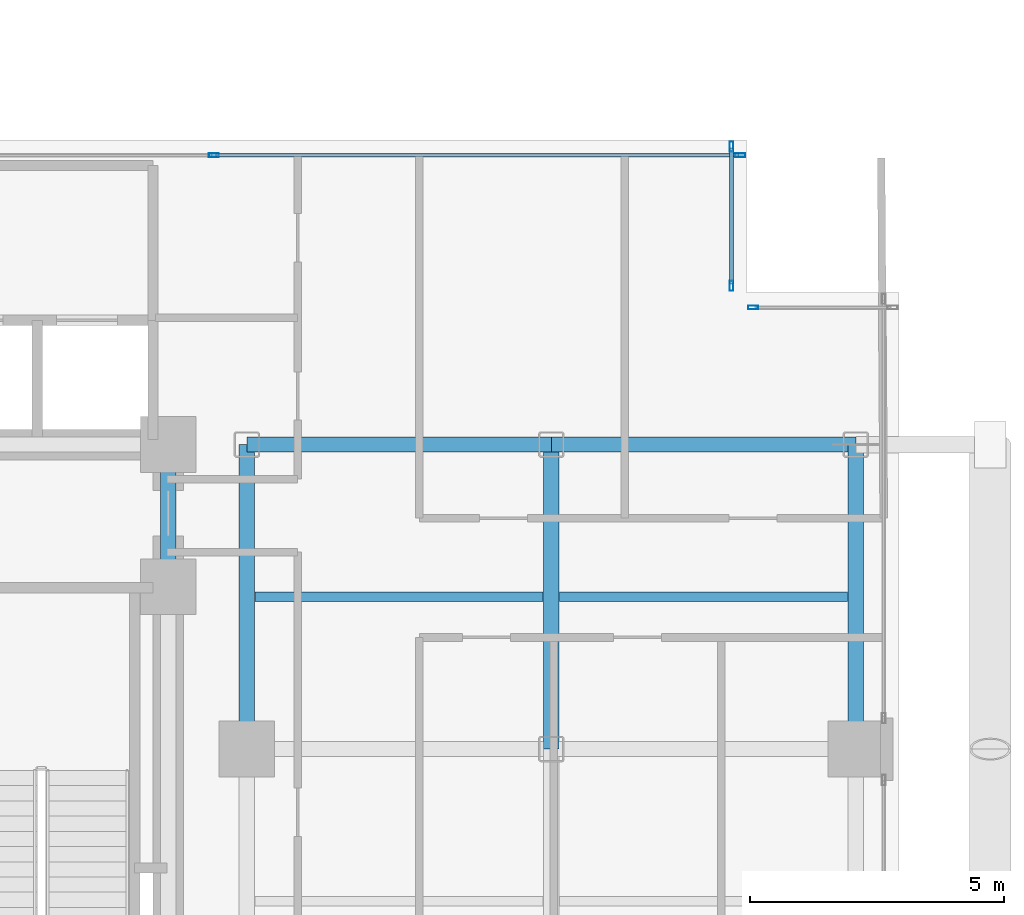
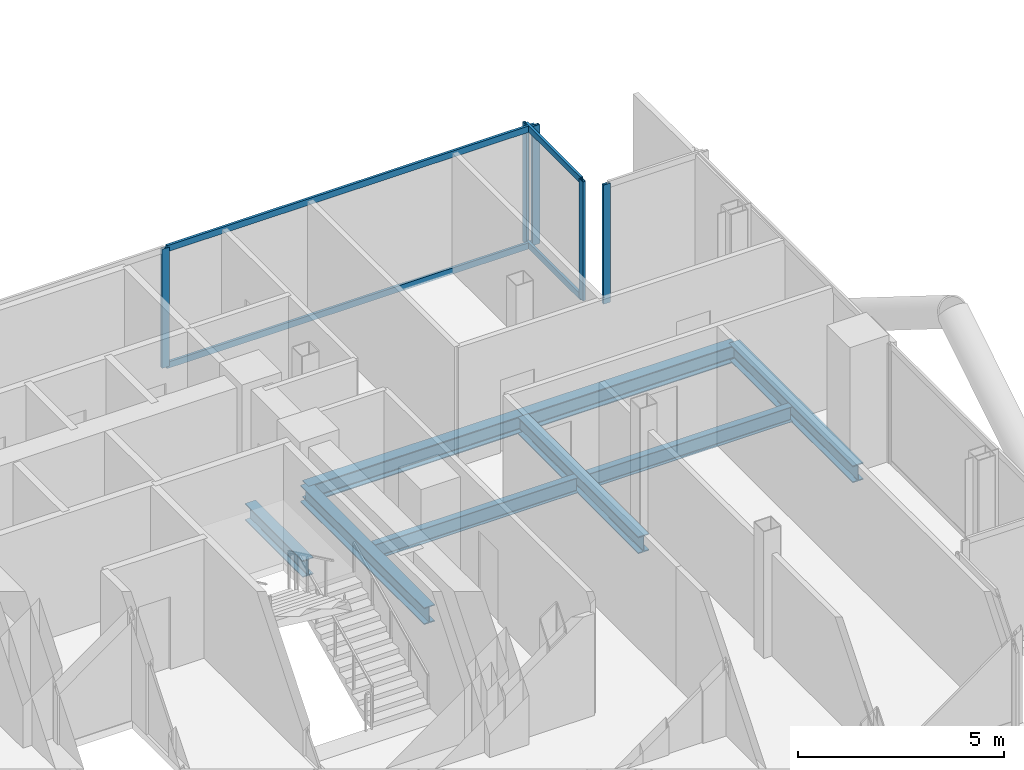
# One storey, part 12 of 24: 9 members, 8 beams, 3 elements without a shape of their own.
"""IFC4 building model written with IfcOpenShell, lengths in metres."""

from ifc_helpers import new_model, si_unit, direction, frame, origin, origin_2d, place, context, subcontext, project, spatial, hollow_rectangle, i_section, extrude, material, layer, layer_set, material_profile, profile_set, type_object, element, aggregate, save


model = new_model("IFC4")

# Units and contexts
model_context = context("Model", 3, precision=1e-05, world=origin(), true_north=direction((0.0, 1.0)))
body_context = subcontext(model_context, "Body", "Model", "MODEL_VIEW")
ifc_project = project(units=[si_unit("LENGTHUNIT", "METRE"), si_unit("AREAUNIT", "SQUARE_METRE"), si_unit("VOLUMEUNIT", "CUBIC_METRE"), si_unit("PLANEANGLEUNIT", "RADIAN"), si_unit("MASSUNIT", "GRAM", prefix="KILO"), si_unit("THERMODYNAMICTEMPERATUREUNIT", "KELVIN"), si_unit("POWERUNIT", "WATT")], contexts=[model_context])

# Site, building, storey
site_placement = place(None, origin())
site = spatial("IfcSite", under=ifc_project, at=site_placement, CompositionType="ELEMENT")
building_placement = place(site_placement, origin())
building = spatial("IfcBuilding", under=site, at=building_placement, Name="Svarakhadi Broadcast Tower", CompositionType="ELEMENT")
storey_placement = place(building_placement, frame((0.0, 0.0, 156.89990234375)))
storey = spatial("IfcBuildingStorey", under=building, at=storey_placement, Name="L38", CompositionType="ELEMENT", Elevation=156.89990234375)

# Beams
ifc_material_1 = material(Name="Steel S355J2 (IS 2062 E350C)", Category="steel")
ifc_material_profile_1 = material_profile(ifc_material_1, i_section(OverallWidth=0.18994140625, OverallDepth=0.449951171875, WebThickness=0.009521484375, FlangeThickness=0.0146484375, FilletRadius=0.02099609375, at=origin_2d()), Name="NPB 450x190x78")
ifc_profile_set_1 = profile_set([ifc_material_profile_1], Name="Steel S355J2 (IS 2062 E350C)")
beam_type_1 = type_object("IfcBeamType", Name="Beam_NPB450", PredefinedType="BEAM", material=ifc_profile_set_1)
for number, where, z_axis, x_axis, name in (
    (1, (35.31005859375, 15.0, -0.449951171875), (1.0, 0.0, 0.0), (0.0, 1.0, 0.0), "L38 Secondary Composite Beam SB021"),
    (2, (41.31005859375, 15.0, -0.449951171875), (1.0, 0.0, 0.0), (0.0, 1.0, 0.0), "L38 Secondary Composite Beam SB023"),
):
    element("IfcBeam", number, at=place(storey_placement, frame(where, z_axis=z_axis, x_axis=x_axis)), inside=storey, type_object=beam_type_1, Name=name, PredefinedType="BEAM", context=body_context, shape_type="SweptSolid", body=[
        extrude(i_section(OverallWidth=0.18994140625, OverallDepth=0.449951171875, WebThickness=0.009521484375, FlangeThickness=0.0146484375, FilletRadius=0.02099609375, at=origin_2d()), origin(), (0.0, 0.0, 1.0), 5.679931640625),
    ])

# Curtain wall, members
ifc_material_2 = material(Name="Anodised Bronze Aluminium AA 6063-T6", Category="aluminium")
ifc_layer = layer(ifc_material_2, 0.199951171875)
ifc_layer_set = layer_set([ifc_layer], Name="Anodised Bronze Aluminium AA 6063-T6")
curtain_wall_type = type_object("IfcCurtainWallType", Name="CW_Sys_03", PredefinedType="NOTDEFINED", material=ifc_layer_set)
curtain_wall_1_placement = place(storey_placement, origin())
curtain_wall_1 = element("IfcCurtainWall", 3, at=curtain_wall_1_placement, inside=storey, type_object=curtain_wall_type, Name="L38 Unitised Facade Curtain Wall 10", PredefinedType="NOTDEFINED")
ifc_material_profile_2 = material_profile(ifc_material_2, hollow_rectangle(XDim=0.074951171875, YDim=0.199951171875, WallThickness=0.005615234375, at=origin_2d()), Name="ALU MULLION 200x75x6")
ifc_profile_set_2 = profile_set([ifc_material_profile_2], Name="Anodised Bronze Aluminium AA 6063-T6")
member_type_1 = type_object("IfcMemberType", Name="CW_Sys_03_Mul", PredefinedType="MULLION", material=ifc_profile_set_2)
member_1_placement = place(storey_placement, frame((34.5, 23.699951171875, 0.0), z_axis=(0.0, 0.0, 1.0), x_axis=(0.0, 1.0, 0.0)))
member_1 = element("IfcMember", 4, at=member_1_placement, type_object=member_type_1, Name="CW-03 mullion 2", PredefinedType="MULLION", context=body_context, shape_type="SweptSolid", body=[
    extrude(hollow_rectangle(XDim=0.074951171875, YDim=0.199951171875, WallThickness=0.005615234375, at=origin_2d()), origin(), (0.0, 0.0, 1.0), 3.525146484375),
])
member_2_placement = place(storey_placement, frame((44.87255859375, 23.699951171875, 0.0), z_axis=(0.0, 0.0, 1.0), x_axis=(0.0, 1.0, 0.0)))
member_2 = element("IfcMember", 5, at=member_2_placement, type_object=member_type_1, Name="CW-03 mullion 3", PredefinedType="MULLION", context=body_context, shape_type="SweptSolid", body=[
    extrude(hollow_rectangle(XDim=0.074951171875, YDim=0.199951171875, WallThickness=0.005615234375, at=origin_2d()), origin(), (0.0, 0.0, 1.0), 3.525146484375),
])

curtain_wall_2_placement = place(storey_placement, origin())
curtain_wall_2 = element("IfcCurtainWall", 6, at=curtain_wall_2_placement, inside=storey, type_object=curtain_wall_type, Name="L38 Unitised Facade Curtain Wall 11", PredefinedType="NOTDEFINED")
member_3_placement = place(storey_placement, frame((44.699951171875, 23.87255859375, 0.0), z_axis=(0.0, 0.0, 1.0), x_axis=(1.0, 0.0, 0.0)))
member_3 = element("IfcMember", 7, at=member_3_placement, type_object=member_type_1, Name="CW-03 mullion 1", PredefinedType="MULLION", context=body_context, shape_type="SweptSolid", body=[
    extrude(hollow_rectangle(XDim=0.074951171875, YDim=0.199951171875, WallThickness=0.005615234375, at=origin_2d()), origin(), (0.0, 0.0, 1.0), 3.525146484375),
])
member_4_placement = place(storey_placement, frame((44.699951171875, 21.12744140625, 0.0), z_axis=(0.0, 0.0, 1.0), x_axis=(1.0, 0.0, 0.0)))
member_4 = element("IfcMember", 8, at=member_4_placement, type_object=member_type_1, Name="CW-03 mullion 2", PredefinedType="MULLION", context=body_context, shape_type="SweptSolid", body=[
    extrude(hollow_rectangle(XDim=0.074951171875, YDim=0.199951171875, WallThickness=0.005615234375, at=origin_2d()), origin(), (0.0, 0.0, 1.0), 3.525146484375),
])

# Curtain wall, member
curtain_wall_3_placement = place(storey_placement, origin())
curtain_wall_3 = element("IfcCurtainWall", 9, at=curtain_wall_3_placement, inside=storey, type_object=curtain_wall_type, Name="L38 Unitised Facade Curtain Wall 12", PredefinedType="NOTDEFINED")
member_5_placement = place(storey_placement, frame((45.12744140625, 20.699951171875, 0.0), z_axis=(0.0, 0.0, 1.0), x_axis=(0.0, 1.0, 0.0)))
member_5 = element("IfcMember", 10, at=member_5_placement, type_object=member_type_1, Name="CW-03 mullion 1", PredefinedType="MULLION", context=body_context, shape_type="SweptSolid", body=[
    extrude(hollow_rectangle(XDim=0.074951171875, YDim=0.199951171875, WallThickness=0.005615234375, at=origin_2d()), origin(), (0.0, 0.0, 1.0), 3.525146484375),
])
aggregate(curtain_wall_3, [member_5])

# Member
ifc_material_profile_3 = material_profile(ifc_material_2, hollow_rectangle(XDim=0.070068359375, YDim=0.18505859375, WallThickness=0.0048828125, at=origin_2d()), Name="ALU TRANSOM 185x70x5")
ifc_profile_set_3 = profile_set([ifc_material_profile_3], Name="Anodised Bronze Aluminium AA 6063-T6")
member_type_2 = type_object("IfcMemberType", Name="CW_Sys_03_Trn", PredefinedType="USERDEFINED", material=ifc_profile_set_3)
member_6_placement = place(storey_placement, frame((34.53759765625, 23.699951171875, 0.03515625), z_axis=(1.0, 0.0, 0.0), x_axis=(0.0, 1.0, 0.0)))
member_6 = element("IfcMember", 11, at=member_6_placement, type_object=member_type_2, Name="CW-03 transom 2.1", ObjectType="TRANSOM", PredefinedType="USERDEFINED", context=body_context, shape_type="SweptSolid", body=[
    extrude(hollow_rectangle(XDim=0.070068359375, YDim=0.18505859375, WallThickness=0.0048828125, at=origin_2d()), origin(), (0.0, 0.0, 1.0), 10.29736328125),
])

member_7_placement = place(storey_placement, frame((34.53759765625, 23.699951171875, 3.489990234375), z_axis=(1.0, 0.0, 0.0), x_axis=(0.0, 1.0, 0.0)))
member_7 = element("IfcMember", 12, at=member_7_placement, type_object=member_type_2, Name="CW-03 transom 2.2", ObjectType="TRANSOM", PredefinedType="USERDEFINED", context=body_context, shape_type="SweptSolid", body=[
    extrude(hollow_rectangle(XDim=0.070068359375, YDim=0.18505859375, WallThickness=0.0048828125, at=origin_2d()), origin(), (0.0, 0.0, 1.0), 10.29736328125),
])

aggregate(curtain_wall_1, [member_1, member_2, member_6, member_7])

member_8_placement = place(storey_placement, frame((44.699951171875, 23.8349609375, 0.03515625), z_axis=(0.0, -1.0, 0.0), x_axis=(1.0, 0.0, 0.0)))
member_8 = element("IfcMember", 13, at=member_8_placement, type_object=member_type_2, Name="CW-03 transom 1.1", ObjectType="TRANSOM", PredefinedType="USERDEFINED", context=body_context, shape_type="SweptSolid", body=[
    extrude(hollow_rectangle(XDim=0.070068359375, YDim=0.18505859375, WallThickness=0.0048828125, at=origin_2d()), origin(), (0.0, 0.0, 1.0), 2.669921875),
])

member_9_placement = place(storey_placement, frame((44.699951171875, 23.8349609375, 3.489990234375), z_axis=(0.0, -1.0, 0.0), x_axis=(1.0, 0.0, 0.0)))
member_9 = element("IfcMember", 14, at=member_9_placement, type_object=member_type_2, Name="CW-03 transom 1.2", ObjectType="TRANSOM", PredefinedType="USERDEFINED", context=body_context, shape_type="SweptSolid", body=[
    extrude(hollow_rectangle(XDim=0.070068359375, YDim=0.18505859375, WallThickness=0.0048828125, at=origin_2d()), origin(), (0.0, 0.0, 1.0), 2.669921875),
])

aggregate(curtain_wall_2, [member_3, member_4, member_8, member_9])

# Beams
ifc_material_profile_4 = material_profile(ifc_material_1, i_section(OverallWidth=0.300048828125, OverallDepth=0.5, WebThickness=0.014404296875, FlangeThickness=0.028076171875, FilletRadius=0.027099609375, at=origin_2d()), Name="WPB 500x300x187")
ifc_profile_set_4 = profile_set([ifc_material_profile_4], Name="Steel S355J2 (IS 2062 E350C)")
beam_type_2 = type_object("IfcBeamType", Name="Girder_WPB500", PredefinedType="USERDEFINED", material=ifc_profile_set_4)
for number, where, z_axis, x_axis, name in (
    (15, (35.14990234375, 18.0, -0.474853515625), (1.0, 0.0, 0.0), (0.0, 1.0, 0.0), "L38 Primary E-W Girder G028"),
    (16, (41.14990234375, 18.0, -0.474853515625), (1.0, 0.0, 0.0), (0.0, 1.0, 0.0), "L38 Primary E-W Girder G029"),
):
    element("IfcBeam", number, at=place(storey_placement, frame(where, z_axis=z_axis, x_axis=x_axis)), inside=storey, type_object=beam_type_2, Name=name, ObjectType="GIRDER", PredefinedType="USERDEFINED", context=body_context, shape_type="SweptSolid", body=[
        extrude(i_section(OverallWidth=0.300048828125, OverallDepth=0.5, WebThickness=0.014404296875, FlangeThickness=0.028076171875, FilletRadius=0.027099609375, at=origin_2d()), origin(), (0.0, 0.0, 1.0), 6.0),
    ])
beam_placement = place(storey_placement, frame((33.60009765625, 15.199951171875, -0.474853515625), z_axis=(0.0, 1.0, 0.0), x_axis=(-1.0, 0.0, 0.0)))
element("IfcBeam", 17, at=beam_placement, inside=storey, type_object=beam_type_2, Name="L38 Primary N-S Girder G066", ObjectType="GIRDER", PredefinedType="USERDEFINED", context=body_context, shape_type="SweptSolid", body=[
    extrude(i_section(OverallWidth=0.300048828125, OverallDepth=0.5, WebThickness=0.014404296875, FlangeThickness=0.028076171875, FilletRadius=0.027099609375, at=origin_2d()), origin(), (0.0, 0.0, 1.0), 2.800048828125),
])
for number, where, z_axis, x_axis, name in (
    (18, (35.14990234375, 12.0, -0.474853515625), (0.0, 1.0, 0.0), (-1.0, 0.0, 0.0), "L38 Primary N-S Girder G069"),
    (19, (41.14990234375, 12.0, -0.474853515625), (0.0, 1.0, 0.0), (-1.0, 0.0, 0.0), "L38 Primary N-S Girder G072"),
    (20, (47.14990234375, 12.0, -0.474853515625), (0.0, 1.0, 0.0), (-1.0, 0.0, 0.0), "L38 Primary N-S Girder G074"),
):
    element("IfcBeam", number, at=place(storey_placement, frame(where, z_axis=z_axis, x_axis=x_axis)), inside=storey, type_object=beam_type_2, Name=name, ObjectType="GIRDER", PredefinedType="USERDEFINED", context=body_context, shape_type="SweptSolid", body=[
        extrude(i_section(OverallWidth=0.300048828125, OverallDepth=0.5, WebThickness=0.014404296875, FlangeThickness=0.028076171875, FilletRadius=0.027099609375, at=origin_2d()), origin(), (0.0, 0.0, 1.0), 6.0),
    ])

save(model, "model.ifc")
